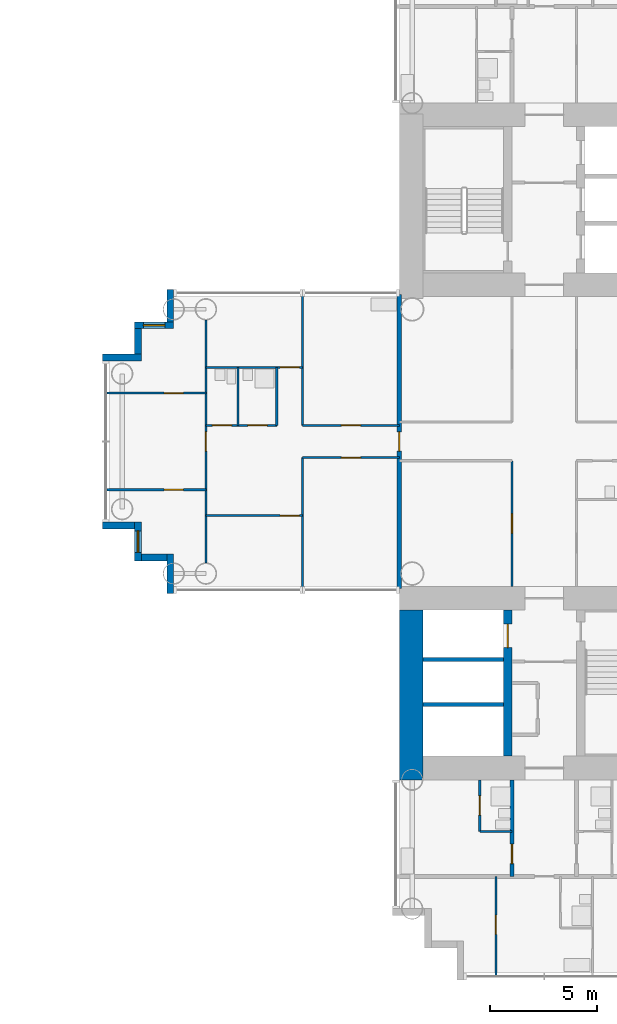
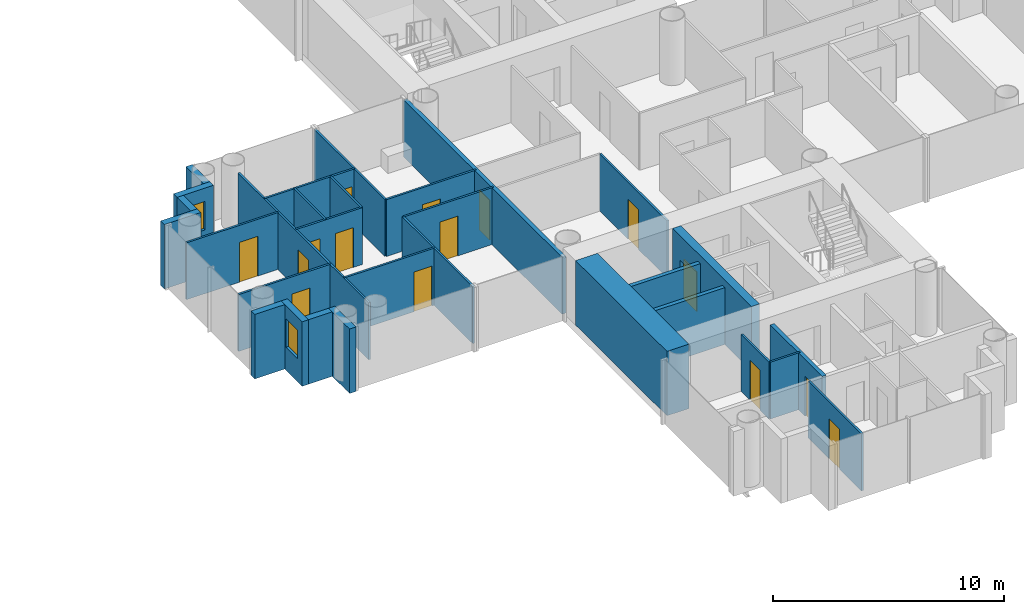
# One storey, part 13 of 22: 30 walls, 15 doors, 2 windows, 17 openings.
"""IFC4 building model written with IfcOpenShell, lengths in metres."""

from ifc_helpers import new_model, si_unit, direction, frame, frame_2d, origin, place, context, subcontext, project, spatial, rectangle, extrude, material, layer, layer_set, type_object, element, fill, save


model = new_model("IFC4")

# Units and contexts
model_context = context("Model", 3, precision=1e-05, world=origin(), true_north=direction((0.0, 1.0)))
body_context = subcontext(model_context, "Body", "Model", "MODEL_VIEW")
ifc_project = project(units=[si_unit("LENGTHUNIT", "METRE"), si_unit("AREAUNIT", "SQUARE_METRE"), si_unit("VOLUMEUNIT", "CUBIC_METRE"), si_unit("PLANEANGLEUNIT", "RADIAN"), si_unit("MASSUNIT", "GRAM", prefix="KILO")], contexts=[model_context])

# Site, building, storey
site_placement = place(None, origin())
site = spatial("IfcSite", under=ifc_project, at=site_placement, CompositionType="ELEMENT")
building_placement = place(site_placement, origin())
building = spatial("IfcBuilding", under=site, at=building_placement, Name="Ipe Terrace Towers", CompositionType="ELEMENT")
storey_placement = place(building_placement, frame((0.0, 0.0, 61.89990234375)))
storey = spatial("IfcBuildingStorey", under=building, at=storey_placement, Name="L16", CompositionType="ELEMENT", Elevation=61.89990234375)

# Wall
ifc_material_1 = material(Name="Concrete C40/50 with buff precast cladding", Category="concrete")
ifc_layer_1 = layer(ifc_material_1, 0.320068359375)
ifc_layer_set_1 = layer_set([ifc_layer_1], Name="BUFF CLADDING WALL 320")
wall_type_1 = type_object("IfcWallType", Name="BUFF CLADDING WALL 320", PredefinedType="STANDARD", material=ifc_layer_set_1)
wall_1_placement = place(storey_placement, frame((18.590087890625, 7.070068359375, -0.2998046875), z_axis=(0.0, 0.0, 1.0), x_axis=(0.0, -1.0, 0.0)))
element("IfcWall", 1, at=wall_1_placement, inside=storey, type_object=wall_type_1, Name="T2-W-L16-34a wall", PredefinedType="STANDARD", context=body_context, shape_type="SweptSolid", body=[
    extrude(rectangle(XDim=1.5, YDim=0.320068359375, at=frame_2d((0.75, 0.0))), origin(), (0.0, 0.0, 1.0), 3.39990234375),
])

# Wall, opening, window
wall_2_placement = place(storey_placement, frame((18.75, 5.409912109375, -0.2998046875), z_axis=(0.0, 0.0, 1.0), x_axis=(-1.0, 0.0, 0.0)))
wall_2 = element("IfcWall", 2, at=wall_2_placement, inside=storey, type_object=wall_type_1, Name="T2-W-L16-35a wall", PredefinedType="STANDARD", context=body_context, shape_type="SweptSolid", body=[
    extrude(rectangle(XDim=1.820068359375, YDim=0.320068359375, at=frame_2d((0.91015625, 0.0))), origin(), (0.0, 0.0, 1.0), 3.39990234375),
])
opening_1_placement = place(wall_2_placement, frame((0.409912109375, 0.0, 1.199951171875)))
opening_1 = element("IfcOpeningElement", 3, at=opening_1_placement, cuts=wall_2, Name="Opening T2-W-05-L16-02", PredefinedType="OPENING", context=body_context, shape_type="SweptSolid", body=[
    extrude(rectangle(XDim=1.0, YDim=1.5, at=frame_2d((0.5, 0.75))), frame((0.0, 0.169921875, 0.0), z_axis=(0.0, -1.0, 0.0), x_axis=(1.0, 0.0, 0.0)), (0.0, 0.0, 1.0), 0.340087890625),
])
ifc_material_2 = material(Name="Glass, clear laminated", Category="glass")
window_type = type_object("IfcWindowType", Name="DWELLING WINDOW 1000 x 1500", PartitioningType="SINGLE_PANEL", PredefinedType="WINDOW", material=ifc_material_2)
window_1_placement = place(opening_1_placement, origin())
window_1 = element("IfcWindow", 4, at=window_1_placement, inside=storey, type_object=window_type, Name="W-05 window", OverallHeight=1.5, OverallWidth=1.0, PartitioningType="SINGLE_PANEL", PredefinedType="WINDOW", context=body_context, shape_type="SweptSolid", body=[
    extrude(rectangle(XDim=1.0, YDim=1.5, at=frame_2d((0.5, 0.75))), frame((0.0, 0.030029296875, 0.0), z_axis=(0.0, -1.0, 0.0), x_axis=(1.0, 0.0, 0.0)), (0.0, 0.0, 1.0), 0.06005859375),
])
fill(opening_1, window_1)

# Walls
wall_3_placement = place(storey_placement, frame((17.090087890625, 5.25, -0.2998046875), z_axis=(0.0, 0.0, 1.0), x_axis=(0.0, -1.0, 0.0)))
element("IfcWall", 5, at=wall_3_placement, inside=storey, type_object=wall_type_1, Name="T2-W-L16-36a wall", PredefinedType="STANDARD", context=body_context, shape_type="SweptSolid", body=[
    extrude(rectangle(XDim=1.179931640625, YDim=0.320068359375, at=frame_2d((0.58984375, 0.0))), origin(), (0.0, 0.0, 1.0), 3.39990234375),
])
wall_4_placement = place(storey_placement, frame((17.25, 3.909912109375, -0.2998046875), z_axis=(0.0, 0.0, 1.0), x_axis=(-1.0, 0.0, 0.0)))
element("IfcWall", 6, at=wall_4_placement, inside=storey, type_object=wall_type_1, Name="T2-W-L16-37a wall", PredefinedType="STANDARD", context=body_context, shape_type="SweptSolid", body=[
    extrude(rectangle(XDim=1.820068359375, YDim=0.320068359375, at=frame_2d((0.91015625, 0.0))), origin(), (0.0, 0.0, 1.0), 3.39990234375),
])
wall_5_placement = place(storey_placement, frame((15.429931640625, -3.909912109375, -0.2998046875), z_axis=(0.0, 0.0, 1.0), x_axis=(1.0, 0.0, 0.0)))
element("IfcWall", 7, at=wall_5_placement, inside=storey, type_object=wall_type_1, Name="T2-W-L16-39a wall", PredefinedType="STANDARD", context=body_context, shape_type="SweptSolid", body=[
    extrude(rectangle(XDim=1.5, YDim=0.320068359375, at=frame_2d((0.75, 0.0))), origin(), (0.0, 0.0, 1.0), 3.39990234375),
])

# Wall, opening, window
wall_6_placement = place(storey_placement, frame((17.090087890625, -3.75, -0.2998046875), z_axis=(0.0, 0.0, 1.0), x_axis=(0.0, -1.0, 0.0)))
wall_6 = element("IfcWall", 8, at=wall_6_placement, inside=storey, type_object=wall_type_1, Name="T2-W-L16-40a wall", PredefinedType="STANDARD", context=body_context, shape_type="SweptSolid", body=[
    extrude(rectangle(XDim=1.820068359375, YDim=0.320068359375, at=frame_2d((0.91015625, 0.0))), origin(), (0.0, 0.0, 1.0), 3.39990234375),
])
opening_2_placement = place(wall_6_placement, frame((0.409912109375, 0.0, 1.199951171875)))
opening_2 = element("IfcOpeningElement", 9, at=opening_2_placement, cuts=wall_6, Name="Opening T2-W-05-L16-01", PredefinedType="OPENING", context=body_context, shape_type="SweptSolid", body=[
    extrude(rectangle(XDim=1.0, YDim=1.5, at=frame_2d((0.5, 0.75))), frame((0.0, 0.169921875, 0.0), z_axis=(0.0, -1.0, 0.0), x_axis=(1.0, 0.0, 0.0)), (0.0, 0.0, 1.0), 0.340087890625),
])
window_2_placement = place(opening_2_placement, origin())
window_2 = element("IfcWindow", 10, at=window_2_placement, inside=storey, type_object=window_type, Name="W-05 window", OverallHeight=1.5, OverallWidth=1.0, PartitioningType="SINGLE_PANEL", PredefinedType="WINDOW", context=body_context, shape_type="SweptSolid", body=[
    extrude(rectangle(XDim=1.0, YDim=1.5, at=frame_2d((0.5, 0.75))), frame((0.0, 0.030029296875, 0.0), z_axis=(0.0, -1.0, 0.0), x_axis=(1.0, 0.0, 0.0)), (0.0, 0.0, 1.0), 0.06005859375),
])
fill(opening_2, window_2)

# Walls
wall_7_placement = place(storey_placement, frame((17.25, -5.409912109375, -0.2998046875), z_axis=(0.0, 0.0, 1.0), x_axis=(1.0, 0.0, 0.0)))
element("IfcWall", 11, at=wall_7_placement, inside=storey, type_object=wall_type_1, Name="T2-W-L16-41a wall", PredefinedType="STANDARD", context=body_context, shape_type="SweptSolid", body=[
    extrude(rectangle(XDim=1.179931640625, YDim=0.320068359375, at=frame_2d((0.58984375, 0.0))), origin(), (0.0, 0.0, 1.0), 3.39990234375),
])
wall_8_placement = place(storey_placement, frame((18.590087890625, -5.25, -0.2998046875), z_axis=(0.0, 0.0, 1.0), x_axis=(0.0, -1.0, 0.0)))
element("IfcWall", 12, at=wall_8_placement, inside=storey, type_object=wall_type_1, Name="T2-W-L16-42a wall", PredefinedType="STANDARD", context=body_context, shape_type="SweptSolid", body=[
    extrude(rectangle(XDim=1.820068359375, YDim=0.320068359375, at=frame_2d((0.91015625, 0.0))), origin(), (0.0, 0.0, 1.0), 3.39990234375),
])
ifc_material_3 = material(Name="Gypsum board partition", Category="plasterboard")
ifc_layer_2 = layer(ifc_material_3, 0.10009765625)
ifc_layer_set_2 = layer_set([ifc_layer_2], Name="Gypsum board partition 100 mm")
wall_type_2 = type_object("IfcWallType", Name="Gypsum board partition 100 mm", PredefinedType="PARTITIONING", material=ifc_layer_set_2)
wall_9_placement = place(storey_placement, frame((34.5, -18.14990234375, 0.0), z_axis=(0.0, 0.0, 1.0), x_axis=(-1.0, 0.0, 0.0)))
element("IfcWall", 13, at=wall_9_placement, inside=storey, type_object=wall_type_2, Name="Gypsum board partition T2 L16 W04", PredefinedType="PARTITIONING", context=body_context, shape_type="SweptSolid", body=[
    extrude(rectangle(XDim=1.5, YDim=0.10009765625, at=frame_2d((0.75, 0.0))), origin(), (0.0, 0.0, 1.0), 3.0),
])

# Wall, opening, door
wall_10_placement = place(storey_placement, frame((24.75, -3.449951171875, 0.0), z_axis=(0.0, 0.0, 1.0), x_axis=(-1.0, 0.0, 0.0)))
wall_10 = element("IfcWall", 14, at=wall_10_placement, inside=storey, type_object=wall_type_2, Name="Gypsum board partition T2 L16 W05", PredefinedType="PARTITIONING", context=body_context, shape_type="SweptSolid", body=[
    extrude(rectangle(XDim=4.5, YDim=0.10009765625, at=frame_2d((2.25, 0.0))), origin(), (0.0, 0.0, 1.0), 3.0),
])
opening_3_placement = place(wall_10_placement, frame((0.14990234375, 0.0, 0.0)))
opening_3 = element("IfcOpeningElement", 15, at=opening_3_placement, cuts=wall_10, Name="Opening T2-Z1D-11", PredefinedType="OPENING", context=body_context, shape_type="SweptSolid", body=[
    extrude(rectangle(XDim=0.89990234375, YDim=2.10009765625, at=frame_2d((0.449951171875, 1.050048828125))), frame((0.0, 0.06005859375, 0.0), z_axis=(0.0, -1.0, 0.0), x_axis=(1.0, 0.0, 0.0)), (0.0, 0.0, 1.0), 0.1201171875),
])
ifc_material_4 = material(Name="Timber door leaf", Category="wood")
door_type_1 = type_object("IfcDoorType", Name="Bedroom door 900 x 2100", OperationType="NOTDEFINED", PredefinedType="DOOR", material=ifc_material_4)
door_1_placement = place(opening_3_placement, origin())
door_1 = element("IfcDoor", 16, at=door_1_placement, inside=storey, type_object=door_type_1, Name="Bedroom door T2-Z1D-11", OperationType="SINGLE_SWING_RIGHT", OverallHeight=2.10009765625, OverallWidth=0.89990234375, PredefinedType="DOOR", context=body_context, shape_type="SweptSolid", body=[
    extrude(rectangle(XDim=0.89990234375, YDim=2.10009765625, at=frame_2d((0.449951171875, 1.050048828125))), frame((0.0, 0.02490234375, 0.0), z_axis=(0.0, -1.0, 0.0), x_axis=(1.0, 0.0, 0.0)), (0.0, 0.0, 1.0), 0.050048828125),
])
fill(opening_3, door_1)

wall_11_placement = place(storey_placement, frame((20.25, -2.25, 0.0), z_axis=(0.0, 0.0, 1.0), x_axis=(-1.0, 0.0, 0.0)))
wall_11 = element("IfcWall", 17, at=wall_11_placement, inside=storey, type_object=wall_type_2, Name="Gypsum board partition T2 L16 W07", PredefinedType="PARTITIONING", context=body_context, shape_type="SweptSolid", body=[
    extrude(rectangle(XDim=4.60009765625, YDim=0.10009765625, at=frame_2d((2.300048828125, 0.0))), origin(), (0.0, 0.0, 1.0), 3.0),
])
opening_4_placement = place(wall_11_placement, frame((1.050048828125, 0.0, 0.0)))
opening_4 = element("IfcOpeningElement", 18, at=opening_4_placement, cuts=wall_11, Name="Opening T2-Z1D-14", PredefinedType="OPENING", context=body_context, shape_type="SweptSolid", body=[
    extrude(rectangle(XDim=0.89990234375, YDim=2.10009765625, at=frame_2d((0.449951171875, 1.050048828125))), frame((0.0, 0.06005859375, 0.0), z_axis=(0.0, -1.0, 0.0), x_axis=(1.0, 0.0, 0.0)), (0.0, 0.0, 1.0), 0.1201171875),
])
door_2_placement = place(opening_4_placement, origin())
door_2 = element("IfcDoor", 19, at=door_2_placement, inside=storey, type_object=door_type_1, Name="Bedroom door T2-Z1D-14", OperationType="SINGLE_SWING_RIGHT", OverallHeight=2.10009765625, OverallWidth=0.89990234375, PredefinedType="DOOR", context=body_context, shape_type="SweptSolid", body=[
    extrude(rectangle(XDim=0.89990234375, YDim=2.10009765625, at=frame_2d((0.449951171875, 1.050048828125))), frame((0.0, 0.02490234375, 0.0), z_axis=(0.0, -1.0, 0.0), x_axis=(1.0, 0.0, 0.0)), (0.0, 0.0, 1.0), 0.050048828125),
])
fill(opening_4, door_2)

wall_12_placement = place(storey_placement, frame((29.25, -0.75, 0.0), z_axis=(0.0, 0.0, 1.0), x_axis=(-1.0, 0.0, 0.0)))
wall_12 = element("IfcWall", 20, at=wall_12_placement, inside=storey, type_object=wall_type_2, Name="Gypsum board partition T2 L16 W10", PredefinedType="PARTITIONING", context=body_context, shape_type="SweptSolid", body=[
    extrude(rectangle(XDim=4.5, YDim=0.10009765625, at=frame_2d((2.25, 0.0))), origin(), (0.0, 0.0, 1.0), 3.0),
])
opening_5_placement = place(wall_12_placement, frame((1.800048828125, 0.0, 0.0)))
opening_5 = element("IfcOpeningElement", 21, at=opening_5_placement, cuts=wall_12, Name="Opening T2-Z1D-06", PredefinedType="OPENING", context=body_context, shape_type="SweptSolid", body=[
    extrude(rectangle(XDim=0.89990234375, YDim=2.10009765625, at=frame_2d((0.449951171875, 1.050048828125))), frame((0.0, 0.06005859375, 0.0), z_axis=(0.0, -1.0, 0.0), x_axis=(1.0, 0.0, 0.0)), (0.0, 0.0, 1.0), 0.1201171875),
])
ifc_material_5 = material(Name="Timber door leaf", Category="wood")
door_type_2 = type_object("IfcDoorType", Name="Lounge door 900 x 2100", OperationType="NOTDEFINED", PredefinedType="DOOR", material=ifc_material_5)
door_3_placement = place(opening_5_placement, origin())
door_3 = element("IfcDoor", 22, at=door_3_placement, inside=storey, type_object=door_type_2, Name="Lounge door T2-Z1D-06", OperationType="SINGLE_SWING_LEFT", OverallHeight=2.10009765625, OverallWidth=0.89990234375, PredefinedType="DOOR", context=body_context, shape_type="SweptSolid", body=[
    extrude(rectangle(XDim=0.89990234375, YDim=2.10009765625, at=frame_2d((0.449951171875, 1.050048828125))), frame((0.0, 0.02490234375, 0.0), z_axis=(0.0, -1.0, 0.0), x_axis=(1.0, 0.0, 0.0)), (0.0, 0.0, 1.0), 0.050048828125),
])
fill(opening_5, door_3)

wall_13_placement = place(storey_placement, frame((29.25, 0.75, 0.0), z_axis=(0.0, 0.0, 1.0), x_axis=(-1.0, 0.0, 0.0)))
wall_13 = element("IfcWall", 23, at=wall_13_placement, inside=storey, type_object=wall_type_2, Name="Gypsum board partition T2 L16 W12", PredefinedType="PARTITIONING", context=body_context, shape_type="SweptSolid", body=[
    extrude(rectangle(XDim=4.5, YDim=0.10009765625, at=frame_2d((2.25, 0.0))), origin(), (0.0, 0.0, 1.0), 3.0),
])
opening_6_placement = place(wall_13_placement, frame((1.800048828125, 0.0, 0.0)))
opening_6 = element("IfcOpeningElement", 24, at=opening_6_placement, cuts=wall_13, Name="Opening T2-Z1D-07", PredefinedType="OPENING", context=body_context, shape_type="SweptSolid", body=[
    extrude(rectangle(XDim=0.89990234375, YDim=2.10009765625, at=frame_2d((0.449951171875, 1.050048828125))), frame((0.0, 0.06005859375, 0.0), z_axis=(0.0, -1.0, 0.0), x_axis=(1.0, 0.0, 0.0)), (0.0, 0.0, 1.0), 0.1201171875),
])
door_4_placement = place(opening_6_placement, origin())
door_4 = element("IfcDoor", 25, at=door_4_placement, inside=storey, type_object=door_type_2, Name="Lounge door T2-Z1D-07", OperationType="SINGLE_SWING_RIGHT", OverallHeight=2.10009765625, OverallWidth=0.89990234375, PredefinedType="DOOR", context=body_context, shape_type="SweptSolid", body=[
    extrude(rectangle(XDim=0.89990234375, YDim=2.10009765625, at=frame_2d((0.449951171875, 1.050048828125))), frame((0.0, 0.02490234375, 0.0), z_axis=(0.0, -1.0, 0.0), x_axis=(1.0, 0.0, 0.0)), (0.0, 0.0, 1.0), 0.050048828125),
])
fill(opening_6, door_4)

# Wall, openings, doors
wall_14_placement = place(storey_placement, frame((23.550048828125, 0.75, 0.0), z_axis=(0.0, 0.0, 1.0), x_axis=(-1.0, 0.0, 0.0)))
wall_14 = element("IfcWall", 26, at=wall_14_placement, inside=storey, type_object=wall_type_2, Name="Gypsum board partition T2 L16 W13", PredefinedType="PARTITIONING", context=body_context, shape_type="SweptSolid", body=[
    extrude(rectangle(XDim=3.300048828125, YDim=0.10009765625, at=frame_2d((1.64990234375, 0.0))), origin(), (0.0, 0.0, 1.0), 3.0),
])
opening_7_placement = place(wall_14_placement, frame((0.449951171875, 0.0, 0.0)))
opening_7 = element("IfcOpeningElement", 27, at=opening_7_placement, cuts=wall_14, Name="Opening T2-Z1D-09", PredefinedType="OPENING", context=body_context, shape_type="SweptSolid", body=[
    extrude(rectangle(XDim=0.89990234375, YDim=2.10009765625, at=frame_2d((0.449951171875, 1.050048828125))), frame((0.0, 0.06005859375, 0.0), z_axis=(0.0, -1.0, 0.0), x_axis=(1.0, 0.0, 0.0)), (0.0, 0.0, 1.0), 0.1201171875),
])
opening_8_placement = place(wall_14_placement, frame((2.10009765625, 0.0, 0.0)))
opening_8 = element("IfcOpeningElement", 28, at=opening_8_placement, cuts=wall_14, Name="Opening T2-Z1D-10", PredefinedType="OPENING", context=body_context, shape_type="SweptSolid", body=[
    extrude(rectangle(XDim=0.89990234375, YDim=2.10009765625, at=frame_2d((0.449951171875, 1.050048828125))), frame((0.0, 0.06005859375, 0.0), z_axis=(0.0, -1.0, 0.0), x_axis=(1.0, 0.0, 0.0)), (0.0, 0.0, 1.0), 0.1201171875),
])
ifc_material_6 = material(Name="Timber door leaf", Category="wood")
door_type_3 = type_object("IfcDoorType", Name="Bathroom door 900 x 2100", OperationType="NOTDEFINED", PredefinedType="DOOR", material=ifc_material_6)
door_5_placement = place(opening_7_placement, origin())
door_5 = element("IfcDoor", 29, at=door_5_placement, inside=storey, type_object=door_type_3, Name="Bathroom door T2-Z1D-09", OperationType="SINGLE_SWING_LEFT", OverallHeight=2.10009765625, OverallWidth=0.89990234375, PredefinedType="DOOR", context=body_context, shape_type="SweptSolid", body=[
    extrude(rectangle(XDim=0.89990234375, YDim=2.10009765625, at=frame_2d((0.449951171875, 1.050048828125))), frame((0.0, 0.02490234375, 0.0), z_axis=(0.0, -1.0, 0.0), x_axis=(1.0, 0.0, 0.0)), (0.0, 0.0, 1.0), 0.050048828125),
])
fill(opening_7, door_5)
door_6_placement = place(opening_8_placement, origin())
door_6 = element("IfcDoor", 30, at=door_6_placement, inside=storey, type_object=door_type_3, Name="Bathroom door T2-Z1D-10", OperationType="SINGLE_SWING_RIGHT", OverallHeight=2.10009765625, OverallWidth=0.89990234375, PredefinedType="DOOR", context=body_context, shape_type="SweptSolid", body=[
    extrude(rectangle(XDim=0.89990234375, YDim=2.10009765625, at=frame_2d((0.449951171875, 1.050048828125))), frame((0.0, 0.02490234375, 0.0), z_axis=(0.0, -1.0, 0.0), x_axis=(1.0, 0.0, 0.0)), (0.0, 0.0, 1.0), 0.050048828125),
])
fill(opening_8, door_6)

# Wall, opening, door
wall_15_placement = place(storey_placement, frame((20.25, 2.25, 0.0), z_axis=(0.0, 0.0, 1.0), x_axis=(-1.0, 0.0, 0.0)))
wall_15 = element("IfcWall", 31, at=wall_15_placement, inside=storey, type_object=wall_type_2, Name="Gypsum board partition T2 L16 W18", PredefinedType="PARTITIONING", context=body_context, shape_type="SweptSolid", body=[
    extrude(rectangle(XDim=4.60009765625, YDim=0.10009765625, at=frame_2d((2.300048828125, 0.0))), origin(), (0.0, 0.0, 1.0), 3.0),
])
opening_9_placement = place(wall_15_placement, frame((1.050048828125, 0.0, 0.0)))
opening_9 = element("IfcOpeningElement", 32, at=opening_9_placement, cuts=wall_15, Name="Opening T2-Z1D-15", PredefinedType="OPENING", context=body_context, shape_type="SweptSolid", body=[
    extrude(rectangle(XDim=0.89990234375, YDim=2.10009765625, at=frame_2d((0.449951171875, 1.050048828125))), frame((0.0, 0.06005859375, 0.0), z_axis=(0.0, -1.0, 0.0), x_axis=(1.0, 0.0, 0.0)), (0.0, 0.0, 1.0), 0.1201171875),
])
door_7_placement = place(opening_9_placement, origin())
door_7 = element("IfcDoor", 33, at=door_7_placement, inside=storey, type_object=door_type_1, Name="Bedroom door T2-Z1D-15", OperationType="SINGLE_SWING_LEFT", OverallHeight=2.10009765625, OverallWidth=0.89990234375, PredefinedType="DOOR", context=body_context, shape_type="SweptSolid", body=[
    extrude(rectangle(XDim=0.89990234375, YDim=2.10009765625, at=frame_2d((0.449951171875, 1.050048828125))), frame((0.0, 0.02490234375, 0.0), z_axis=(0.0, -1.0, 0.0), x_axis=(1.0, 0.0, 0.0)), (0.0, 0.0, 1.0), 0.050048828125),
])
fill(opening_9, door_7)

wall_16_placement = place(storey_placement, frame((24.75, 3.449951171875, 0.0), z_axis=(0.0, 0.0, 1.0), x_axis=(-1.0, 0.0, 0.0)))
wall_16 = element("IfcWall", 34, at=wall_16_placement, inside=storey, type_object=wall_type_2, Name="Gypsum board partition T2 L16 W20", PredefinedType="PARTITIONING", context=body_context, shape_type="SweptSolid", body=[
    extrude(rectangle(XDim=4.5, YDim=0.10009765625, at=frame_2d((2.25, 0.0))), origin(), (0.0, 0.0, 1.0), 3.0),
])
opening_10_placement = place(wall_16_placement, frame((0.14990234375, 0.0, 0.0)))
opening_10 = element("IfcOpeningElement", 35, at=opening_10_placement, cuts=wall_16, Name="Opening T2-Z1D-12", PredefinedType="OPENING", context=body_context, shape_type="SweptSolid", body=[
    extrude(rectangle(XDim=0.89990234375, YDim=2.10009765625, at=frame_2d((0.449951171875, 1.050048828125))), frame((0.0, 0.06005859375, 0.0), z_axis=(0.0, -1.0, 0.0), x_axis=(1.0, 0.0, 0.0)), (0.0, 0.0, 1.0), 0.1201171875),
])
door_8_placement = place(opening_10_placement, origin())
door_8 = element("IfcDoor", 36, at=door_8_placement, inside=storey, type_object=door_type_1, Name="Bedroom door T2-Z1D-12", OperationType="SINGLE_SWING_LEFT", OverallHeight=2.10009765625, OverallWidth=0.89990234375, PredefinedType="DOOR", context=body_context, shape_type="SweptSolid", body=[
    extrude(rectangle(XDim=0.89990234375, YDim=2.10009765625, at=frame_2d((0.449951171875, 1.050048828125))), frame((0.0, 0.02490234375, 0.0), z_axis=(0.0, -1.0, 0.0), x_axis=(1.0, 0.0, 0.0)), (0.0, 0.0, 1.0), 0.050048828125),
])
fill(opening_10, door_8)

wall_17_placement = place(storey_placement, frame((34.5, -6.75, 0.0), z_axis=(0.0, 0.0, 1.0), x_axis=(0.0, 1.0, 0.0)))
wall_17 = element("IfcWall", 37, at=wall_17_placement, inside=storey, type_object=wall_type_2, Name="Gypsum board partition T2 L16 W42", PredefinedType="PARTITIONING", context=body_context, shape_type="SweptSolid", body=[
    extrude(rectangle(XDim=5.85009765625, YDim=0.10009765625, at=frame_2d((2.925048828125, 0.0))), origin(), (0.0, 0.0, 1.0), 3.0),
])
opening_11_placement = place(wall_17_placement, frame((2.47509765625, 0.0, 0.0)))
opening_11 = element("IfcOpeningElement", 38, at=opening_11_placement, cuts=wall_17, Name="Opening T2-Z1D-03", PredefinedType="OPENING", context=body_context, shape_type="SweptSolid", body=[
    extrude(rectangle(XDim=0.89990234375, YDim=2.10009765625, at=frame_2d((0.449951171875, 1.050048828125))), frame((0.0, 0.06005859375, 0.0), z_axis=(0.0, -1.0, 0.0), x_axis=(1.0, 0.0, 0.0)), (0.0, 0.0, 1.0), 0.1201171875),
])
door_9_placement = place(opening_11_placement, origin())
door_9 = element("IfcDoor", 39, at=door_9_placement, inside=storey, type_object=door_type_2, Name="Lounge door T2-Z1D-03", OperationType="SINGLE_SWING_RIGHT", OverallHeight=2.10009765625, OverallWidth=0.89990234375, PredefinedType="DOOR", context=body_context, shape_type="SweptSolid", body=[
    extrude(rectangle(XDim=0.89990234375, YDim=2.10009765625, at=frame_2d((0.449951171875, 1.050048828125))), frame((0.0, 0.02490234375, 0.0), z_axis=(0.0, -1.0, 0.0), x_axis=(1.0, 0.0, 0.0)), (0.0, 0.0, 1.0), 0.050048828125),
])
fill(opening_11, door_9)

wall_18_placement = place(storey_placement, frame((33.75, -24.85009765625, 0.0), z_axis=(0.0, 0.0, 1.0), x_axis=(0.0, 1.0, 0.0)))
wall_18 = element("IfcWall", 40, at=wall_18_placement, inside=storey, type_object=wall_type_2, Name="Gypsum board partition T2 L16 W46", PredefinedType="PARTITIONING", context=body_context, shape_type="SweptSolid", body=[
    extrude(rectangle(XDim=4.60009765625, YDim=0.10009765625, at=frame_2d((2.300048828125, 0.0))), origin(), (0.0, 0.0, 1.0), 3.0),
])
opening_12_placement = place(wall_18_placement, frame((1.89990234375, 0.0, 0.0)))
opening_12 = element("IfcOpeningElement", 41, at=opening_12_placement, cuts=wall_18, Name="Opening T2-Z1D-38", PredefinedType="OPENING", context=body_context, shape_type="SweptSolid", body=[
    extrude(rectangle(XDim=0.89990234375, YDim=2.10009765625, at=frame_2d((0.449951171875, 1.050048828125))), frame((0.0, 0.06005859375, 0.0), z_axis=(0.0, -1.0, 0.0), x_axis=(1.0, 0.0, 0.0)), (0.0, 0.0, 1.0), 0.1201171875),
])
door_10_placement = place(opening_12_placement, origin())
door_10 = element("IfcDoor", 42, at=door_10_placement, inside=storey, type_object=door_type_2, Name="Lounge door T2-Z1D-38", OperationType="SINGLE_SWING_LEFT", OverallHeight=2.10009765625, OverallWidth=0.89990234375, PredefinedType="DOOR", context=body_context, shape_type="SweptSolid", body=[
    extrude(rectangle(XDim=0.89990234375, YDim=2.10009765625, at=frame_2d((0.449951171875, 1.050048828125))), frame((0.0, 0.02490234375, 0.0), z_axis=(0.0, -1.0, 0.0), x_axis=(1.0, 0.0, 0.0)), (0.0, 0.0, 1.0), 0.050048828125),
])
fill(opening_12, door_10)

wall_19_placement = place(storey_placement, frame((33.0, -18.14990234375, 0.0), z_axis=(0.0, 0.0, 1.0), x_axis=(0.0, 1.0, 0.0)))
wall_19 = element("IfcWall", 43, at=wall_19_placement, inside=storey, type_object=wall_type_2, Name="Gypsum board partition T2 L16 W48", PredefinedType="PARTITIONING", context=body_context, shape_type="SweptSolid", body=[
    extrude(rectangle(XDim=2.39990234375, YDim=0.10009765625, at=frame_2d((1.199951171875, 0.0))), origin(), (0.0, 0.0, 1.0), 3.0),
])
opening_13_placement = place(wall_19_placement, frame((0.75, 0.0, 0.0)))
opening_13 = element("IfcOpeningElement", 44, at=opening_13_placement, cuts=wall_19, Name="Opening T2-Z1D-34", PredefinedType="OPENING", context=body_context, shape_type="SweptSolid", body=[
    extrude(rectangle(XDim=0.89990234375, YDim=2.10009765625, at=frame_2d((0.449951171875, 1.050048828125))), frame((0.0, 0.06005859375, 0.0), z_axis=(0.0, -1.0, 0.0), x_axis=(1.0, 0.0, 0.0)), (0.0, 0.0, 1.0), 0.1201171875),
])
door_11_placement = place(opening_13_placement, origin())
door_11 = element("IfcDoor", 45, at=door_11_placement, inside=storey, type_object=door_type_3, Name="Bathroom door T2-Z1D-34", OperationType="SINGLE_SWING_RIGHT", OverallHeight=2.10009765625, OverallWidth=0.89990234375, PredefinedType="DOOR", context=body_context, shape_type="SweptSolid", body=[
    extrude(rectangle(XDim=0.89990234375, YDim=2.10009765625, at=frame_2d((0.449951171875, 1.050048828125))), frame((0.0, 0.02490234375, 0.0), z_axis=(0.0, -1.0, 0.0), x_axis=(1.0, 0.0, 0.0)), (0.0, 0.0, 1.0), 0.050048828125),
])
fill(opening_13, door_11)

# Walls
for number, where, z_axis, x_axis, name in (
    (46, (24.75, -6.85009765625, 0.0), (0.0, 0.0, 1.0), (0.0, 1.0, 0.0), "Gypsum board partition T2 L16 W51"),
    (47, (24.75, 0.75, 0.0), (0.0, 0.0, 1.0), (0.0, 1.0, 0.0), "Gypsum board partition T2 L16 W52"),
):
    element("IfcWall", number, at=place(storey_placement, frame(where, z_axis=z_axis, x_axis=x_axis)), inside=storey, type_object=wall_type_2, Name=name, PredefinedType="PARTITIONING", context=body_context, shape_type="SweptSolid", body=[
        extrude(rectangle(XDim=6.10009765625, YDim=0.10009765625, at=frame_2d((3.050048828125, 0.0))), origin(), (0.0, 0.0, 1.0), 3.0),
    ])
for number, where, z_axis, x_axis, name in (
    (48, (23.550048828125, 0.75, 0.0), (0.0, 0.0, 1.0), (0.0, 1.0, 0.0), "Gypsum board partition T2 L16 W53"),
    (49, (21.75, 0.75, 0.0), (0.0, 0.0, 1.0), (0.0, 1.0, 0.0), "Gypsum board partition T2 L16 W54"),
):
    element("IfcWall", number, at=place(storey_placement, frame(where, z_axis=z_axis, x_axis=x_axis)), inside=storey, type_object=wall_type_2, Name=name, PredefinedType="PARTITIONING", context=body_context, shape_type="SweptSolid", body=[
        extrude(rectangle(XDim=2.699951171875, YDim=0.10009765625, at=frame_2d((1.35009765625, 0.0))), origin(), (0.0, 0.0, 1.0), 3.0),
    ])

# Wall, opening, door
wall_20_placement = place(storey_placement, frame((20.25, -5.64990234375, 0.0), z_axis=(0.0, 0.0, 1.0), x_axis=(0.0, 1.0, 0.0)))
wall_20 = element("IfcWall", 50, at=wall_20_placement, inside=storey, type_object=wall_type_2, Name="Gypsum board partition T2 L16 W55", PredefinedType="PARTITIONING", context=body_context, shape_type="SweptSolid", body=[
    extrude(rectangle(XDim=11.2998046875, YDim=0.10009765625, at=frame_2d((5.64990234375, 0.0))), origin(), (0.0, 0.0, 1.0), 3.0),
])
opening_14_placement = place(wall_20_placement, frame((5.199951171875, 0.0, 0.0)))
opening_14 = element("IfcOpeningElement", 51, at=opening_14_placement, cuts=wall_20, Name="Opening T2-Z1D-13", PredefinedType="OPENING", context=body_context, shape_type="SweptSolid", body=[
    extrude(rectangle(XDim=0.89990234375, YDim=2.10009765625, at=frame_2d((0.449951171875, 1.050048828125))), frame((0.0, 0.06005859375, 0.0), z_axis=(0.0, -1.0, 0.0), x_axis=(1.0, 0.0, 0.0)), (0.0, 0.0, 1.0), 0.1201171875),
])
door_12_placement = place(opening_14_placement, origin())
door_12 = element("IfcDoor", 52, at=door_12_placement, inside=storey, type_object=door_type_2, Name="Lounge door T2-Z1D-13", OperationType="SINGLE_SWING_LEFT", OverallHeight=2.10009765625, OverallWidth=0.89990234375, PredefinedType="DOOR", context=body_context, shape_type="SweptSolid", body=[
    extrude(rectangle(XDim=0.89990234375, YDim=2.10009765625, at=frame_2d((0.449951171875, 1.050048828125))), frame((0.0, 0.02490234375, 0.0), z_axis=(0.0, -1.0, 0.0), x_axis=(1.0, 0.0, 0.0)), (0.0, 0.0, 1.0), 0.050048828125),
])
fill(opening_14, door_12)

# Walls
ifc_material_7 = material(Name="Gypsum board party wall", Category="plasterboard")
ifc_layer_3 = layer(ifc_material_7, 0.199951171875)
ifc_layer_set_3 = layer_set([ifc_layer_3], Name="Gypsum board party wall 200 mm")
wall_type_3 = type_object("IfcWallType", Name="Gypsum board party wall 200 mm", PredefinedType="SOLIDWALL", material=ifc_layer_set_3)
for number, where, z_axis, x_axis, name in (
    (53, (30.35009765625, -10.14990234375, 0.0), (0.0, 0.0, 1.0), (1.0, 0.0, 0.0), "Gypsum board party wall T2 L16 t2c2-shaft-div1"),
    (54, (30.35009765625, -12.25, 0.0), (0.0, 0.0, 1.0), (1.0, 0.0, 0.0), "Gypsum board party wall T2 L16 t2c2-shaft-div2"),
):
    element("IfcWall", number, at=place(storey_placement, frame(where, z_axis=z_axis, x_axis=x_axis)), inside=storey, type_object=wall_type_3, Name=name, PredefinedType="SOLIDWALL", context=body_context, shape_type="SweptSolid", body=[
        extrude(rectangle(XDim=3.75, YDim=0.199951171875, at=frame_2d((1.875, 0.0))), origin(), (0.0, 0.0, 1.0), 3.0),
    ])

# Wall, opening, door
wall_21_placement = place(storey_placement, frame((34.5, -20.25, 0.0), z_axis=(0.0, 0.0, 1.0), x_axis=(0.0, 1.0, 0.0)))
wall_21 = element("IfcWall", 55, at=wall_21_placement, inside=storey, type_object=wall_type_3, Name="Gypsum board party wall T2 L16 W44", PredefinedType="SOLIDWALL", context=body_context, shape_type="SweptSolid", body=[
    extrude(rectangle(XDim=4.5, YDim=0.199951171875, at=frame_2d((2.25, 0.0))), origin(), (0.0, 0.0, 1.0), 3.0),
])
opening_15_placement = place(wall_21_placement, frame((0.60009765625, 0.0, 0.0)))
opening_15 = element("IfcOpeningElement", 56, at=opening_15_placement, cuts=wall_21, Name="Opening T2-Z1D-33", PredefinedType="OPENING", context=body_context, shape_type="SweptSolid", body=[
    extrude(rectangle(XDim=0.89990234375, YDim=2.10009765625, at=frame_2d((0.449951171875, 1.050048828125))), frame((0.0, 0.10986328125, 0.0), z_axis=(0.0, -1.0, 0.0), x_axis=(1.0, 0.0, 0.0)), (0.0, 0.0, 1.0), 0.219970703125),
])
ifc_material_8 = material(Name="Fire-rated timber door leaf", Category="wood")
door_type_4 = type_object("IfcDoorType", Name="Flat entrance door 900 x 2100 FD30S", OperationType="NOTDEFINED", PredefinedType="DOOR", material=ifc_material_8)
door_13_placement = place(opening_15_placement, origin())
door_13 = element("IfcDoor", 57, at=door_13_placement, inside=storey, type_object=door_type_4, Name="Flat entrance door T2-Z1D-33", OperationType="SINGLE_SWING_RIGHT", OverallHeight=2.10009765625, OverallWidth=0.89990234375, PredefinedType="DOOR", context=body_context, shape_type="SweptSolid", body=[
    extrude(rectangle(XDim=0.89990234375, YDim=2.10009765625, at=frame_2d((0.449951171875, 1.050048828125))), frame((0.0, 0.02490234375, 0.0), z_axis=(0.0, -1.0, 0.0), x_axis=(1.0, 0.0, 0.0)), (0.0, 0.0, 1.0), 0.050048828125),
])
fill(opening_15, door_13)

wall_22_placement = place(storey_placement, frame((29.25, -6.85009765625, 0.0), z_axis=(0.0, 0.0, 1.0), x_axis=(0.0, 1.0, 0.0)))
wall_22 = element("IfcWall", 58, at=wall_22_placement, inside=storey, type_object=wall_type_3, Name="Gypsum board party wall T2 L16 W50", PredefinedType="SOLIDWALL", context=body_context, shape_type="SweptSolid", body=[
    extrude(rectangle(XDim=13.7001953125, YDim=0.199951171875, at=frame_2d((6.85009765625, 0.0))), origin(), (0.0, 0.0, 1.0), 3.0),
])
opening_16_placement = place(wall_22_placement, frame((6.39990234375, 0.0, 0.0)))
opening_16 = element("IfcOpeningElement", 59, at=opening_16_placement, cuts=wall_22, Name="Opening T2-Z1D-08", PredefinedType="OPENING", context=body_context, shape_type="SweptSolid", body=[
    extrude(rectangle(XDim=0.89990234375, YDim=2.10009765625, at=frame_2d((0.449951171875, 1.050048828125))), frame((0.0, 0.10986328125, 0.0), z_axis=(0.0, -1.0, 0.0), x_axis=(1.0, 0.0, 0.0)), (0.0, 0.0, 1.0), 0.219970703125),
])
door_14_placement = place(opening_16_placement, origin())
door_14 = element("IfcDoor", 60, at=door_14_placement, inside=storey, type_object=door_type_4, Name="Flat entrance door T2-Z1D-08", OperationType="SINGLE_SWING_LEFT", OverallHeight=2.10009765625, OverallWidth=0.89990234375, PredefinedType="DOOR", context=body_context, shape_type="SweptSolid", body=[
    extrude(rectangle(XDim=0.89990234375, YDim=2.10009765625, at=frame_2d((0.449951171875, 1.050048828125))), frame((0.0, 0.02490234375, 0.0), z_axis=(0.0, -1.0, 0.0), x_axis=(1.0, 0.0, 0.0)), (0.0, 0.0, 1.0), 0.050048828125),
])
fill(opening_16, door_14)

# Wall
ifc_material_9 = material(Name="Concrete C60/75", Category="concrete")
ifc_layer_4 = layer(ifc_material_9, 1.10009765625)
ifc_layer_set_4 = layer_set([ifc_layer_4], Name="RW1100 CORE WALL 1100 C60-75")
wall_type_4 = type_object("IfcWallType", Name="RW1100 CORE WALL 1100 C60-75", PredefinedType="SHEAR", material=ifc_layer_set_4)
wall_23_placement = place(storey_placement, frame((29.800048828125, -7.85009765625, 0.0), z_axis=(0.0, 0.0, 1.0), x_axis=(0.0, -1.0, 0.0)))
element("IfcWall", 61, at=wall_23_placement, inside=storey, type_object=wall_type_4, Name="Core wall T2-C2-Z1-W04", PredefinedType="SHEAR", context=body_context, shape_type="SweptSolid", body=[
    extrude(rectangle(XDim=7.89990234375, YDim=1.10009765625, at=frame_2d((3.949951171875, 0.0))), origin(), (0.0, 0.0, 1.0), 3.400146484375),
])

# Wall, opening, door
ifc_material_10 = material(Name="Concrete C60/75", Category="concrete")
ifc_layer_5 = layer(ifc_material_10, 0.39990234375)
ifc_layer_set_5 = layer_set([ifc_layer_5], Name="RW400 CORE SPINE WALL 400 C60-75")
wall_type_5 = type_object("IfcWallType", Name="RW400 CORE SPINE WALL 400 C60-75", PredefinedType="SHEAR", material=ifc_layer_set_5)
wall_24_placement = place(storey_placement, frame((34.300048828125, -14.64990234375, 0.0), z_axis=(0.0, 0.0, 1.0), x_axis=(0.0, 1.0, 0.0)))
wall_24 = element("IfcWall", 62, at=wall_24_placement, inside=storey, type_object=wall_type_5, Name="Core spine wall T2-C2-Z1-SW1", PredefinedType="SHEAR", context=body_context, shape_type="SweptSolid", body=[
    extrude(rectangle(XDim=6.7998046875, YDim=0.39990234375, at=frame_2d((3.39990234375, 0.0))), origin(), (0.0, 0.0, 1.0), 3.400146484375),
])
opening_17_placement = place(wall_24_placement, frame((5.050048828125, 0.0, 0.0)))
opening_17 = element("IfcOpeningElement", 63, at=opening_17_placement, cuts=wall_24, Name="Opening T2C2-LD1", PredefinedType="OPENING", context=body_context, shape_type="SweptSolid", body=[
    extrude(rectangle(XDim=1.10009765625, YDim=2.10009765625, at=frame_2d((0.550048828125, 1.050048828125))), frame((0.0, 0.2099609375, 0.0), z_axis=(0.0, -1.0, 0.0), x_axis=(1.0, 0.0, 0.0)), (0.0, 0.0, 1.0), 0.419921875),
])
ifc_material_11 = material(Name="Fire-rated timber door leaf", Category="wood")
door_type_5 = type_object("IfcDoorType", Name="Sliding door 1100 x 2100 FD60", OperationType="SLIDING_TO_LEFT", PredefinedType="DOOR", material=ifc_material_11)
door_15_placement = place(opening_17_placement, origin())
door_15 = element("IfcDoor", 64, at=door_15_placement, inside=storey, type_object=door_type_5, Name="Sliding door T2C2-LD1", OperationType="SLIDING_TO_LEFT", OverallHeight=2.10009765625, OverallWidth=1.10009765625, PredefinedType="DOOR", context=body_context, shape_type="SweptSolid", body=[
    extrude(rectangle(XDim=1.10009765625, YDim=2.10009765625, at=frame_2d((0.550048828125, 1.050048828125))), frame((0.0, 0.02490234375, 0.0), z_axis=(0.0, -1.0, 0.0), x_axis=(1.0, 0.0, 0.0)), (0.0, 0.0, 1.0), 0.050048828125),
])
fill(opening_17, door_15)

save(model, "model.ifc")
